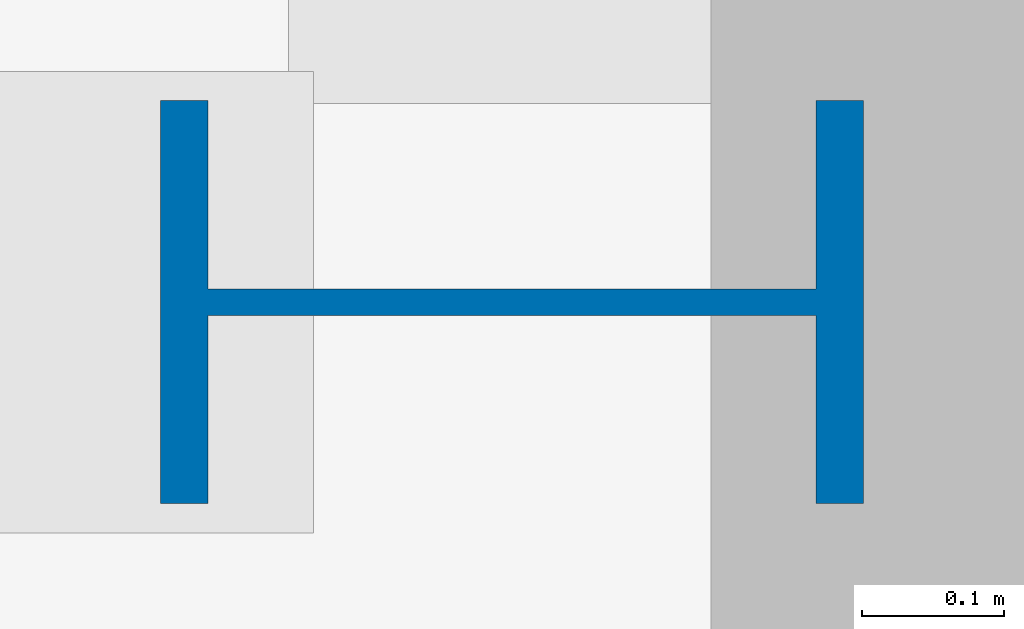
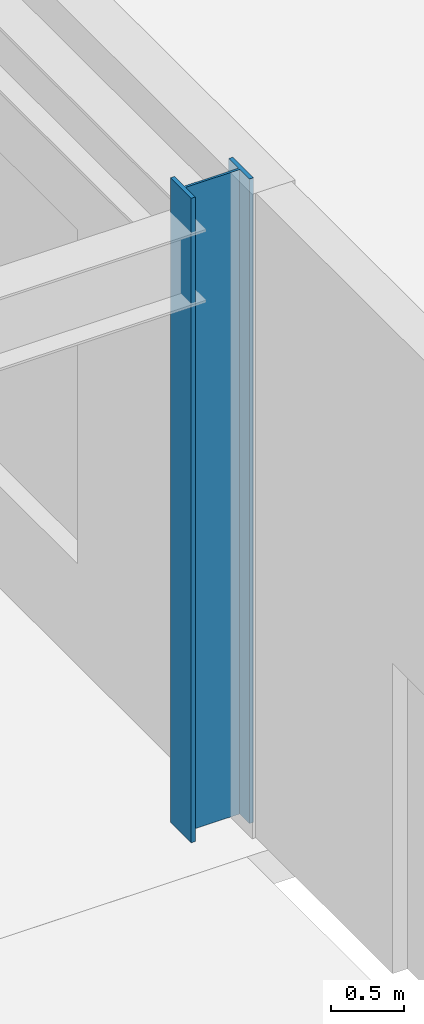
# One storey, part 2 of 94: 1 column.
"""IFC4 building model written with IfcOpenShell, lengths in metres."""

from ifc_helpers import new_model, si_unit, direction, frame, origin, origin_2d, place, context, subcontext, project, spatial, i_section, extrude, material, material_profile, profile_set, type_object, element, save


model = new_model("IFC4")

# Units and contexts
model_context = context("Model", 3, precision=1e-05, world=origin(), true_north=direction((0.0, 1.0)))
body_context = subcontext(model_context, "Body", "Model", "MODEL_VIEW")
ifc_project = project(units=[si_unit("LENGTHUNIT", "METRE"), si_unit("AREAUNIT", "SQUARE_METRE"), si_unit("VOLUMEUNIT", "CUBIC_METRE"), si_unit("PLANEANGLEUNIT", "RADIAN"), si_unit("MASSUNIT", "GRAM", prefix="KILO")], contexts=[model_context])

# Site, building, storey
site_placement = place(None, origin())
site = spatial("IfcSite", under=ifc_project, at=site_placement, CompositionType="ELEMENT")
building_placement = place(site_placement, origin())
building = spatial("IfcBuilding", under=site, at=building_placement, Name="Sollismere Congress Hotel", CompositionType="ELEMENT")
storey_placement = place(building_placement, origin())
storey = spatial("IfcBuildingStorey", under=building, at=storey_placement, Name="L00", CompositionType="ELEMENT", Elevation=0.0)

# Column
ifc_material = material(Name="Steel ASTM A992 Grade 50", Category="steel")
ifc_material_profile = material_profile(ifc_material, i_section(OverallWidth=0.283935546875, OverallDepth=0.4951171875, WebThickness=0.0185546875, FlangeThickness=0.033447265625, at=origin_2d()), Name="W18X143")
ifc_profile_set = profile_set([ifc_material_profile], Name="Steel ASTM A992 Grade 50")
column_type = type_object("IfcColumnType", Name="COL-W18", PredefinedType="COLUMN", material=ifc_profile_set)
column_placement = place(storey_placement, frame((58.0, 24.800048828125, 0.0), z_axis=(0.0, 0.0, 1.0), x_axis=(0.0, 1.0, 0.0)))
element("IfcColumn", 1, at=column_placement, inside=storey, type_object=column_type, Name="Column CL-L00-245", PredefinedType="COLUMN", context=body_context, shape_type="SweptSolid", body=[
    extrude(i_section(OverallWidth=0.283935546875, OverallDepth=0.4951171875, WebThickness=0.0185546875, FlangeThickness=0.033447265625, at=origin_2d()), origin(), (0.0, 0.0, 1.0), 5.39990234375),
])

save(model, "model.ifc")
